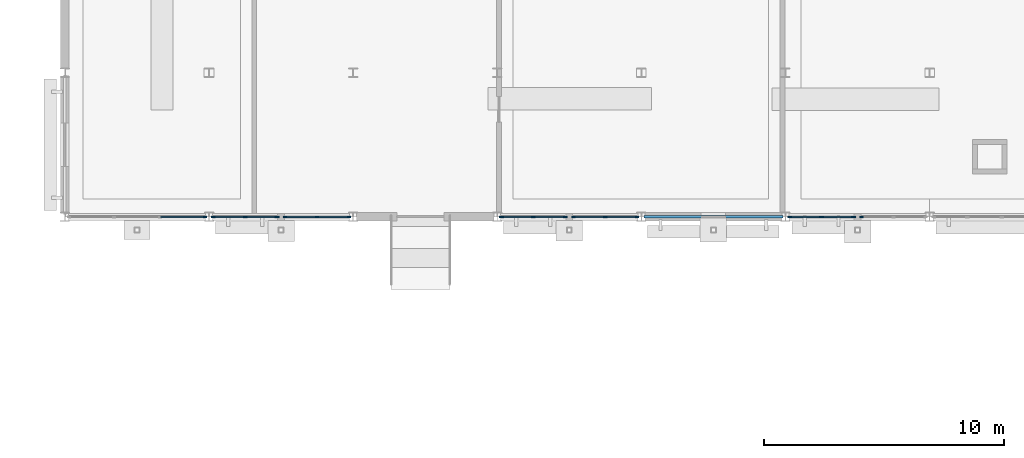
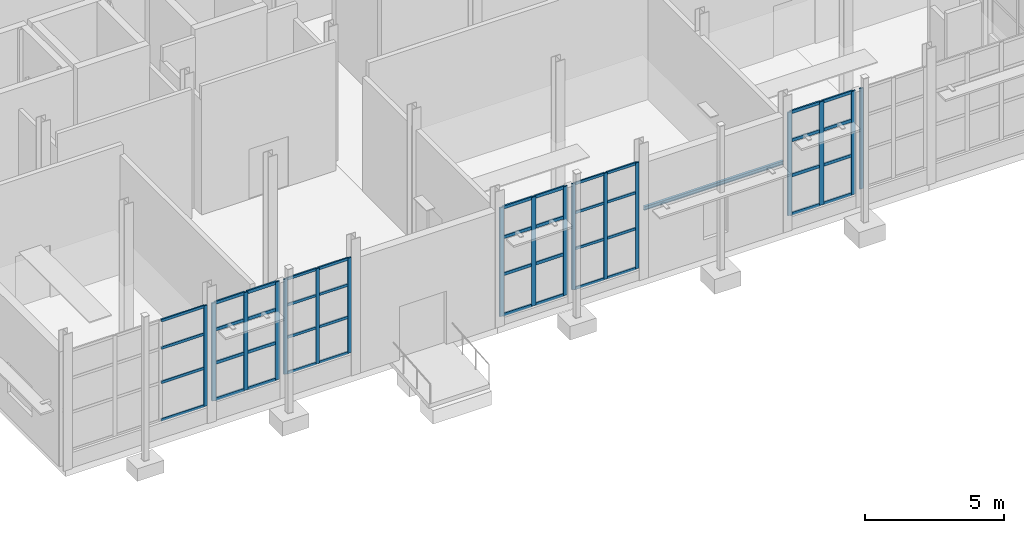
# One storey, part 61 of 120: 61 members, 1 beam, 7 elements without a shape of their own.
"""IFC4 building model written with IfcOpenShell, lengths in metres."""

import ifcopenshell
import ifcopenshell.guid

model = None  # the IFC model being written
_history = None  # IfcOwnerHistory: only IFC2X3 demands one
_inside = {}  # id of a spatial element -> (the spatial element, [elements in it])
_under = {}  # id of a project, library or spatial element -> (it, [spatial elements below it])
_declared = {}  # id of a project -> (the project, [libraries it declares])
_typed = {}  # id of a type object -> (the type object, [elements of that type])
_made_of = {}  # id of a material, layer set ... -> (it, [elements and type objects made of it])


def new_model(schema):
    """Start an empty IFC model of exactly this schema.

    Asked for "IFC4X3", IfcOpenShell would pick the latest addendum, in which some entities
    have other attributes; the version numbers below select the first issue.
    IFC2X3 requires an IfcOwnerHistory on every rooted entity: one is made here for all.
    """
    global model, _history
    if schema == "IFC4X3":
        model = ifcopenshell.file(schema_version=(4, 3, 0, 0))
    else:
        model = ifcopenshell.file(schema=schema)
    _inside.clear()
    _under.clear()
    _declared.clear()
    _typed.clear()
    _made_of.clear()
    _history = None
    if model.schema == "IFC2X3":
        org = make("IfcOrganization", Name="unknown")
        user = make(
            "IfcPersonAndOrganization",
            ThePerson=make("IfcPerson", FamilyName="unknown"),
            TheOrganization=org,
        )
        app = make(
            "IfcApplication",
            ApplicationDeveloper=org,
            Version="unknown",
            ApplicationFullName="unknown",
            ApplicationIdentifier="unknown",
        )
        _history = make(
            "IfcOwnerHistory",
            OwningUser=user,
            OwningApplication=app,
            ChangeAction="ADDED",
            CreationDate=0,
        )
    return model


def make(cls, **values):
    """One entity of the class cls with the attributes given. An attribute that is None is left unset."""
    return model.create_entity(
        cls, **{name: value for name, value in values.items() if value is not None}
    )


def rooted(cls, **values):
    """An entity with a GlobalId (a new one), such as an element, a storey or a relation."""
    return make(cls, GlobalId=ifcopenshell.guid.new(), OwnerHistory=_history, **values)


def si_unit(unit_type, name, prefix=None):
    """IfcSIUnit, for example si_unit("LENGTHUNIT", "METRE", prefix="MILLI")."""
    return make("IfcSIUnit", UnitType=unit_type, Prefix=prefix, Name=name)


def assignment(units):
    """IfcUnitAssignment: the units of a project."""
    return None if units is None else make("IfcUnitAssignment", Units=units)


def point(xyz):
    """IfcCartesianPoint."""
    return None if xyz is None else make("IfcCartesianPoint", Coordinates=xyz)


def direction(xyz):
    """IfcDirection."""
    return None if xyz is None else make("IfcDirection", DirectionRatios=xyz)


def frame(location, z_axis=None, x_axis=None):
    """IfcAxis2Placement3D, a coordinate frame: its origin and axes. An axis left out is left unset."""
    return make(
        "IfcAxis2Placement3D",
        Location=point(location),
        Axis=direction(z_axis),
        RefDirection=direction(x_axis),
    )


def frame_2d(location, x_axis=None):
    """IfcAxis2Placement2D, a coordinate frame in the plane: its origin and x axis."""
    return make(
        "IfcAxis2Placement2D", Location=point(location), RefDirection=direction(x_axis)
    )


def origin():
    """The frame at (0, 0, 0) with its axes left unset."""
    return frame((0.0, 0.0, 0.0))


def origin_2d():
    """The frame at (0, 0) in the plane with its x axis left unset."""
    return frame_2d((0.0, 0.0))


def place(relative_to, where):
    """IfcLocalPlacement: puts the frame where relative to a parent placement (None: the world)."""
    return make(
        "IfcLocalPlacement", PlacementRelTo=relative_to, RelativePlacement=where
    )


def context(
    kind, dimensions, precision=None, world=None, true_north=None, identifier=None
):
    """IfcGeometricRepresentationContext, for example the 3D "Model" context."""
    return make(
        "IfcGeometricRepresentationContext",
        ContextIdentifier=identifier,
        ContextType=kind,
        CoordinateSpaceDimension=dimensions,
        Precision=precision,
        WorldCoordinateSystem=world,
        TrueNorth=true_north,
    )


def subcontext(parent, identifier, kind, view, scale=None):
    """IfcGeometricRepresentationSubContext, for example "Body" below "Model"."""
    return make(
        "IfcGeometricRepresentationSubContext",
        ContextIdentifier=identifier,
        ContextType=kind,
        ParentContext=parent,
        TargetScale=scale,
        TargetView=view,
    )


def project(units=None, contexts=None):
    """IfcProject with its units and contexts."""
    return rooted(
        "IfcProject",
        Name="project",
        RepresentationContexts=contexts,
        UnitsInContext=assignment(units),
    )


def spatial(cls, under=None, at=None, **own):
    """A site, building, storey or space (cls), placed at a placement, below another one or the project."""
    s = rooted(cls, ObjectPlacement=at, **own)
    if under is not None:
        _under.setdefault(under.id(), (under, []))[1].append(s)
    return s


def profile(cls, at=None, kind="AREA", **sizes):
    """A parametric profile (cls). Its sizes go by their IFC names, for example OverallWidth=200.0."""
    return make(cls, ProfileType=kind, Position=at, **sizes)


def rectangle(**sizes):
    """IfcRectangleProfileDef."""
    return profile("IfcRectangleProfileDef", **sizes)


def i_section(**sizes):
    """IfcIShapeProfileDef."""
    return profile("IfcIShapeProfileDef", **sizes)


def extrude(swept, where, along, depth):
    """IfcExtrudedAreaSolid: the profile swept, set in the frame where, extruded along a direction by depth."""
    return make(
        "IfcExtrudedAreaSolid",
        SweptArea=swept,
        Position=where,
        ExtrudedDirection=direction(along),
        Depth=depth,
    )


def shape(context_of_items, identifier, shape_type, items):
    """IfcShapeRepresentation: the items that make up one representation, for example the "Body"."""
    return make(
        "IfcShapeRepresentation",
        ContextOfItems=context_of_items,
        RepresentationIdentifier=identifier,
        RepresentationType=shape_type,
        Items=items,
    )


def material(Name=None, Category=None):
    """IfcMaterial."""
    return make("IfcMaterial", Name=Name, Category=Category)


def material_profile(
    of_material, cross_section, Name=None, Category=None, Priority=None
):
    """IfcMaterialProfile: a cross section and its material."""
    return make(
        "IfcMaterialProfile",
        Name=Name,
        Material=of_material,
        Profile=cross_section,
        Priority=Priority,
        Category=Category,
    )


def profile_set(profiles, Name=None, composite=None):
    """IfcMaterialProfileSet."""
    return make(
        "IfcMaterialProfileSet",
        Name=Name,
        MaterialProfiles=profiles,
        CompositeProfile=composite,
    )


def made_of(thing, what):
    """Note that an element or type object is made of a material, layer set ...; save() writes the relation."""
    if what is not None:
        _made_of.setdefault(what.id(), (what, []))[1].append(thing)
    return thing


def type_object(cls, material=None, **own):
    """A type object (cls), such as IfcWallType, which elements share."""
    return made_of(rooted(cls, **own), material)


def element(
    cls,
    number,
    at=None,
    inside=None,
    cuts=None,
    type_object=None,
    material=None,
    context=None,
    identifier="Body",
    shape_type=None,
    held_by="IfcProductDefinitionShape",
    body=None,
    shapes=None,
    **own,
):
    """One element of the class cls, such as IfcWall. Its Tag is "e" and its number.

    at: its placement. inside: the storey or other place that contains it. cuts: it is an
    opening in that element (IfcRelVoidsElement). A single representation is given by context,
    identifier, shape_type and body (its items); several are given by shapes. held_by: the class
    of the entity that holds the representations. save() writes the other relations.
    """
    e = rooted(cls, Tag="e%d" % number, ObjectPlacement=at, **own)
    if body is not None:
        shapes = [shape(context, identifier, shape_type, body)]
    if shapes is not None:
        e.Representation = make(held_by, Representations=shapes)
    if inside is not None:
        _inside.setdefault(inside.id(), (inside, []))[1].append(e)
    if cuts is not None:
        rooted(
            "IfcRelVoidsElement", RelatingBuildingElement=cuts, RelatedOpeningElement=e
        )
    if type_object is not None:
        _typed.setdefault(type_object.id(), (type_object, []))[1].append(e)
    return made_of(e, material)


def aggregate(whole, parts):
    """IfcRelAggregates: a whole, such as a stair, and the parts it consists of."""
    return rooted("IfcRelAggregates", RelatingObject=whole, RelatedObjects=parts)


def save(model, path):
    """Write the relations noted so far, then the file.

    IfcRelAggregates (storeys below a building ...), IfcRelContainedInSpatialStructure (elements
    in a storey), IfcRelDefinesByType, IfcRelAssociatesMaterial and IfcRelDeclares: one each for
    every whole, place, type object, material and project.
    """
    for whole, parts in _under.values():
        aggregate(whole, parts)
    for where, things in _inside.values():
        rooted(
            "IfcRelContainedInSpatialStructure",
            RelatedElements=things,
            RelatingStructure=where,
        )
    for kind, things in _typed.values():
        rooted("IfcRelDefinesByType", RelatedObjects=things, RelatingType=kind)
    for what, things in _made_of.values():
        rooted("IfcRelAssociatesMaterial", RelatedObjects=things, RelatingMaterial=what)
    for by, libraries in _declared.values():
        rooted("IfcRelDeclares", RelatingContext=by, RelatedDefinitions=libraries)
    model.write(path)


model = new_model("IFC4")

# Units and contexts
model_context = context("Model", 3, precision=1e-05, world=origin(), true_north=direction((0.0, 1.0)))
body_context = subcontext(model_context, "Body", "Model", "MODEL_VIEW")
ifc_project = project(units=[si_unit("LENGTHUNIT", "METRE"), si_unit("AREAUNIT", "SQUARE_METRE"), si_unit("VOLUMEUNIT", "CUBIC_METRE"), si_unit("PLANEANGLEUNIT", "RADIAN"), si_unit("MASSUNIT", "GRAM", prefix="KILO")], contexts=[model_context])

# Site, building, storey
site_placement = place(None, origin())
site = spatial("IfcSite", under=ifc_project, at=site_placement, CompositionType="ELEMENT")
building_placement = place(site_placement, origin())
building = spatial("IfcBuilding", under=site, at=building_placement, Name="Siltcreek Boulevard Central Fire Station", CompositionType="ELEMENT")
storey_placement = place(building_placement, origin())
storey = spatial("IfcBuildingStorey", under=building, at=storey_placement, Name="L01", CompositionType="ELEMENT", Elevation=0.0)

# Curtain wall, member
ifc_material_1 = material(Name="Anodized aluminum and low-E insulated glazing", Category="aluminium")
curtain_wall_type_1 = type_object("IfcCurtainWallType", Name="CW_SYS_10", PredefinedType="USERDEFINED", material=ifc_material_1)
curtain_wall_1_placement = place(storey_placement, origin())
curtain_wall_1 = element("IfcCurtainWall", 1, at=curtain_wall_1_placement, inside=storey, type_object=curtain_wall_type_1, Name="L01 V5 unitised curtain wall CW-099", ObjectType="CURTAIN WALL", PredefinedType="USERDEFINED")
ifc_material_2 = material(Name="Anodized 6063-T6 aluminum framing", Category="aluminium")
ifc_material_profile_1 = material_profile(ifc_material_2, rectangle(XDim=0.06005859375, YDim=0.14990234375, at=origin_2d()), Name="MULL60X150")
ifc_profile_set_1 = profile_set([ifc_material_profile_1], Name="Anodized 6063-T6 aluminum framing")
member_type_1 = type_object("IfcMemberType", Name="CWM_60X150", PredefinedType="MULLION", material=ifc_profile_set_1)
member_1_placement = place(storey_placement, frame((130.02490234375, 88.199951171875, 0.679931640625), z_axis=(0.0, 0.0, 1.0), x_axis=(0.0, 1.0, 0.0)))
member_1 = element("IfcMember", 2, at=member_1_placement, type_object=member_type_1, Name="CW-099 mullion 4", PredefinedType="MULLION", context=body_context, shape_type="SweptSolid", body=[
    extrude(rectangle(XDim=0.06005859375, YDim=0.14990234375, at=origin_2d()), origin(), (0.0, 0.0, 1.0), 4.43310546875),
])

# Curtain wall, members
curtain_wall_type_2 = type_object("IfcCurtainWallType", Name="CW_SYS_12", PredefinedType="USERDEFINED", material=ifc_material_1)
curtain_wall_2_placement = place(storey_placement, origin())
curtain_wall_2 = element("IfcCurtainWall", 3, at=curtain_wall_2_placement, inside=storey, type_object=curtain_wall_type_2, Name="L01 V5 unitised curtain wall CW-101", ObjectType="CURTAIN WALL", PredefinedType="USERDEFINED")
member_2_placement = place(storey_placement, frame((133.3701171875, 88.199951171875, 0.919921875), z_axis=(0.0, 0.0, 1.0), x_axis=(0.0, 1.0, 0.0)))
member_2 = element("IfcMember", 4, at=member_2_placement, type_object=member_type_1, Name="CW-101 mullion 1", PredefinedType="MULLION", context=body_context, shape_type="SweptSolid", body=[
    extrude(rectangle(XDim=0.06005859375, YDim=0.14990234375, at=origin_2d()), origin(), (0.0, 0.0, 1.0), 4.193115234375),
])
member_3_placement = place(storey_placement, frame((134.697509765625, 88.199951171875, 0.919921875), z_axis=(0.0, 0.0, 1.0), x_axis=(0.0, 1.0, 0.0)))
member_3 = element("IfcMember", 5, at=member_3_placement, type_object=member_type_1, Name="CW-101 mullion 2", PredefinedType="MULLION", context=body_context, shape_type="SweptSolid", body=[
    extrude(rectangle(XDim=0.06005859375, YDim=0.14990234375, at=origin_2d()), origin(), (0.0, 0.0, 1.0), 4.193115234375),
])
member_4_placement = place(storey_placement, frame((136.02490234375, 88.199951171875, 0.919921875), z_axis=(0.0, 0.0, 1.0), x_axis=(0.0, 1.0, 0.0)))
member_4 = element("IfcMember", 6, at=member_4_placement, type_object=member_type_1, Name="CW-101 mullion 3", PredefinedType="MULLION", context=body_context, shape_type="SweptSolid", body=[
    extrude(rectangle(XDim=0.06005859375, YDim=0.14990234375, at=origin_2d()), origin(), (0.0, 0.0, 1.0), 4.193115234375),
])

curtain_wall_type_3 = type_object("IfcCurtainWallType", Name="CW_SYS_14", PredefinedType="USERDEFINED", material=ifc_material_1)
curtain_wall_3_placement = place(storey_placement, origin())
curtain_wall_3 = element("IfcCurtainWall", 7, at=curtain_wall_3_placement, inside=storey, type_object=curtain_wall_type_3, Name="L01 V5 unitised curtain wall CW-103", ObjectType="CURTAIN WALL", PredefinedType="USERDEFINED")
member_5_placement = place(storey_placement, frame((145.3701171875, 88.199951171875, 0.43994140625), z_axis=(0.0, 0.0, 1.0), x_axis=(0.0, 1.0, 0.0)))
member_5 = element("IfcMember", 8, at=member_5_placement, type_object=member_type_1, Name="CW-103 mullion 1", PredefinedType="MULLION", context=body_context, shape_type="SweptSolid", body=[
    extrude(rectangle(XDim=0.06005859375, YDim=0.14990234375, at=origin_2d()), origin(), (0.0, 0.0, 1.0), 4.673095703125),
])
member_6_placement = place(storey_placement, frame((146.697509765625, 88.199951171875, 0.43994140625), z_axis=(0.0, 0.0, 1.0), x_axis=(0.0, 1.0, 0.0)))
member_6 = element("IfcMember", 9, at=member_6_placement, type_object=member_type_1, Name="CW-103 mullion 2", PredefinedType="MULLION", context=body_context, shape_type="SweptSolid", body=[
    extrude(rectangle(XDim=0.06005859375, YDim=0.14990234375, at=origin_2d()), origin(), (0.0, 0.0, 1.0), 4.673095703125),
])
member_7_placement = place(storey_placement, frame((148.02490234375, 88.199951171875, 0.43994140625), z_axis=(0.0, 0.0, 1.0), x_axis=(0.0, 1.0, 0.0)))
member_7 = element("IfcMember", 10, at=member_7_placement, type_object=member_type_1, Name="CW-103 mullion 3", PredefinedType="MULLION", context=body_context, shape_type="SweptSolid", body=[
    extrude(rectangle(XDim=0.06005859375, YDim=0.14990234375, at=origin_2d()), origin(), (0.0, 0.0, 1.0), 4.673095703125),
])

# Curtain wall, member
curtain_wall_type_4 = type_object("IfcCurtainWallType", Name="CW_SYS_16", PredefinedType="USERDEFINED", material=ifc_material_1)
curtain_wall_4_placement = place(storey_placement, origin())
curtain_wall_4 = element("IfcCurtainWall", 11, at=curtain_wall_4_placement, inside=storey, type_object=curtain_wall_type_4, Name="L01 V5 unitised curtain wall CW-105", ObjectType="CURTAIN WALL", PredefinedType="USERDEFINED")
member_8_placement = place(storey_placement, frame((157.3701171875, 88.199951171875, 0.679931640625), z_axis=(0.0, 0.0, 1.0), x_axis=(0.0, 1.0, 0.0)))
member_8 = element("IfcMember", 12, at=member_8_placement, type_object=member_type_1, Name="CW-105 mullion 1", PredefinedType="MULLION", context=body_context, shape_type="SweptSolid", body=[
    extrude(rectangle(XDim=0.06005859375, YDim=0.14990234375, at=origin_2d()), origin(), (0.0, 0.0, 1.0), 4.43310546875),
])
aggregate(curtain_wall_4, [member_8])

# Curtain wall, members
curtain_wall_type_5 = type_object("IfcCurtainWallType", Name="CW_SYS_11", PredefinedType="USERDEFINED", material=ifc_material_1)
curtain_wall_5_placement = place(storey_placement, origin())
curtain_wall_5 = element("IfcCurtainWall", 13, at=curtain_wall_5_placement, inside=storey, type_object=curtain_wall_type_5, Name="L01 V5 unitised curtain wall CW-100", ObjectType="CURTAIN WALL", PredefinedType="USERDEFINED")
ifc_material_profile_2 = material_profile(ifc_material_2, rectangle(XDim=0.06494140625, YDim=0.175048828125, at=origin_2d()), Name="MULL65X175")
ifc_profile_set_2 = profile_set([ifc_material_profile_2], Name="Anodized 6063-T6 aluminum framing")
member_type_2 = type_object("IfcMemberType", Name="CWM_65X175", PredefinedType="MULLION", material=ifc_profile_set_2)
member_9_placement = place(storey_placement, frame((130.37744140625, 88.199951171875, 0.800048828125), z_axis=(0.0, 0.0, 1.0), x_axis=(0.0, 1.0, 0.0)))
member_9 = element("IfcMember", 14, at=member_9_placement, type_object=member_type_2, Name="CW-100 mullion 1", PredefinedType="MULLION", context=body_context, shape_type="SweptSolid", body=[
    extrude(rectangle(XDim=0.06494140625, YDim=0.175048828125, at=origin_2d()), origin(), (0.0, 0.0, 1.0), 4.31298828125),
])
member_10_placement = place(storey_placement, frame((131.702392578125, 88.199951171875, 0.800048828125), z_axis=(0.0, 0.0, 1.0), x_axis=(0.0, 1.0, 0.0)))
member_10 = element("IfcMember", 15, at=member_10_placement, type_object=member_type_2, Name="CW-100 mullion 2", PredefinedType="MULLION", context=body_context, shape_type="SweptSolid", body=[
    extrude(rectangle(XDim=0.06494140625, YDim=0.175048828125, at=origin_2d()), origin(), (0.0, 0.0, 1.0), 4.31298828125),
])
member_11_placement = place(storey_placement, frame((133.027587890625, 88.199951171875, 0.800048828125), z_axis=(0.0, 0.0, 1.0), x_axis=(0.0, 1.0, 0.0)))
member_11 = element("IfcMember", 16, at=member_11_placement, type_object=member_type_2, Name="CW-100 mullion 3", PredefinedType="MULLION", context=body_context, shape_type="SweptSolid", body=[
    extrude(rectangle(XDim=0.06494140625, YDim=0.175048828125, at=origin_2d()), origin(), (0.0, 0.0, 1.0), 4.31298828125),
])

curtain_wall_type_6 = type_object("IfcCurtainWallType", Name="CW_SYS_13", PredefinedType="USERDEFINED", material=ifc_material_1)
curtain_wall_6_placement = place(storey_placement, origin())
curtain_wall_6 = element("IfcCurtainWall", 17, at=curtain_wall_6_placement, inside=storey, type_object=curtain_wall_type_6, Name="L01 V5 unitised curtain wall CW-102", ObjectType="CURTAIN WALL", PredefinedType="USERDEFINED")
member_12_placement = place(storey_placement, frame((142.37744140625, 88.199951171875, 0.320068359375), z_axis=(0.0, 0.0, 1.0), x_axis=(0.0, 1.0, 0.0)))
member_12 = element("IfcMember", 18, at=member_12_placement, type_object=member_type_2, Name="CW-102 mullion 1", PredefinedType="MULLION", context=body_context, shape_type="SweptSolid", body=[
    extrude(rectangle(XDim=0.06494140625, YDim=0.175048828125, at=origin_2d()), origin(), (0.0, 0.0, 1.0), 4.79296875),
])
member_13_placement = place(storey_placement, frame((143.702392578125, 88.199951171875, 0.320068359375), z_axis=(0.0, 0.0, 1.0), x_axis=(0.0, 1.0, 0.0)))
member_13 = element("IfcMember", 19, at=member_13_placement, type_object=member_type_2, Name="CW-102 mullion 2", PredefinedType="MULLION", context=body_context, shape_type="SweptSolid", body=[
    extrude(rectangle(XDim=0.06494140625, YDim=0.175048828125, at=origin_2d()), origin(), (0.0, 0.0, 1.0), 4.79296875),
])
member_14_placement = place(storey_placement, frame((145.027587890625, 88.199951171875, 0.320068359375), z_axis=(0.0, 0.0, 1.0), x_axis=(0.0, 1.0, 0.0)))
member_14 = element("IfcMember", 20, at=member_14_placement, type_object=member_type_2, Name="CW-102 mullion 3", PredefinedType="MULLION", context=body_context, shape_type="SweptSolid", body=[
    extrude(rectangle(XDim=0.06494140625, YDim=0.175048828125, at=origin_2d()), origin(), (0.0, 0.0, 1.0), 4.79296875),
])

curtain_wall_type_7 = type_object("IfcCurtainWallType", Name="CW_SYS_15", PredefinedType="USERDEFINED", material=ifc_material_1)
curtain_wall_7_placement = place(storey_placement, origin())
curtain_wall_7 = element("IfcCurtainWall", 21, at=curtain_wall_7_placement, inside=storey, type_object=curtain_wall_type_7, Name="L01 V5 unitised curtain wall CW-104", ObjectType="CURTAIN WALL", PredefinedType="USERDEFINED")
member_15_placement = place(storey_placement, frame((154.37744140625, 88.199951171875, 0.56005859375), z_axis=(0.0, 0.0, 1.0), x_axis=(0.0, 1.0, 0.0)))
member_15 = element("IfcMember", 22, at=member_15_placement, type_object=member_type_2, Name="CW-104 mullion 1", PredefinedType="MULLION", context=body_context, shape_type="SweptSolid", body=[
    extrude(rectangle(XDim=0.06494140625, YDim=0.175048828125, at=origin_2d()), origin(), (0.0, 0.0, 1.0), 4.552978515625),
])
member_16_placement = place(storey_placement, frame((155.702392578125, 88.199951171875, 0.56005859375), z_axis=(0.0, 0.0, 1.0), x_axis=(0.0, 1.0, 0.0)))
member_16 = element("IfcMember", 23, at=member_16_placement, type_object=member_type_2, Name="CW-104 mullion 2", PredefinedType="MULLION", context=body_context, shape_type="SweptSolid", body=[
    extrude(rectangle(XDim=0.06494140625, YDim=0.175048828125, at=origin_2d()), origin(), (0.0, 0.0, 1.0), 4.552978515625),
])
member_17_placement = place(storey_placement, frame((157.027587890625, 88.199951171875, 0.56005859375), z_axis=(0.0, 0.0, 1.0), x_axis=(0.0, 1.0, 0.0)))
member_17 = element("IfcMember", 24, at=member_17_placement, type_object=member_type_2, Name="CW-104 mullion 3", PredefinedType="MULLION", context=body_context, shape_type="SweptSolid", body=[
    extrude(rectangle(XDim=0.06494140625, YDim=0.175048828125, at=origin_2d()), origin(), (0.0, 0.0, 1.0), 4.552978515625),
])

# Member
ifc_material_profile_3 = material_profile(ifc_material_2, rectangle(XDim=0.06005859375, YDim=0.114990234375, at=origin_2d()), Name="TRAN60X115")
ifc_profile_set_3 = profile_set([ifc_material_profile_3], Name="Anodized 6063-T6 aluminum framing")
member_type_3 = type_object("IfcMemberType", Name="CWT_60X115", PredefinedType="USERDEFINED", material=ifc_profile_set_3)
member_18_placement = place(storey_placement, frame((128.181640625, 88.199951171875, 0.7099609375), z_axis=(1.0, 0.0, 0.0), x_axis=(0.0, 1.0, 0.0)))
member_18 = element("IfcMember", 25, at=member_18_placement, type_object=member_type_3, Name="CW-099 transom 3.1", ObjectType="TRANSOM", PredefinedType="USERDEFINED", context=body_context, shape_type="SweptSolid", body=[
    extrude(rectangle(XDim=0.06005859375, YDim=0.114990234375, at=origin_2d()), origin(), (0.0, 0.0, 1.0), 1.8134765625),
])

member_19_placement = place(storey_placement, frame((128.181640625, 88.199951171875, 2.364501953125), z_axis=(1.0, 0.0, 0.0), x_axis=(0.0, 1.0, 0.0)))
member_19 = element("IfcMember", 26, at=member_19_placement, type_object=member_type_3, Name="CW-099 transom 3.2", ObjectType="TRANSOM", PredefinedType="USERDEFINED", context=body_context, shape_type="SweptSolid", body=[
    extrude(rectangle(XDim=0.06005859375, YDim=0.114990234375, at=origin_2d()), origin(), (0.0, 0.0, 1.0), 1.8134765625),
])

member_20_placement = place(storey_placement, frame((128.181640625, 88.199951171875, 3.871826171875), z_axis=(1.0, 0.0, 0.0), x_axis=(0.0, 1.0, 0.0)))
member_20 = element("IfcMember", 27, at=member_20_placement, type_object=member_type_3, Name="CW-099 transom 3.3", ObjectType="TRANSOM", PredefinedType="USERDEFINED", context=body_context, shape_type="SweptSolid", body=[
    extrude(rectangle(XDim=0.06005859375, YDim=0.114990234375, at=origin_2d()), origin(), (0.0, 0.0, 1.0), 1.8134765625),
])

member_21_placement = place(storey_placement, frame((128.181640625, 88.199951171875, 5.0830078125), z_axis=(1.0, 0.0, 0.0), x_axis=(0.0, 1.0, 0.0)))
member_21 = element("IfcMember", 28, at=member_21_placement, type_object=member_type_3, Name="CW-099 transom 3.4", ObjectType="TRANSOM", PredefinedType="USERDEFINED", context=body_context, shape_type="SweptSolid", body=[
    extrude(rectangle(XDim=0.06005859375, YDim=0.114990234375, at=origin_2d()), origin(), (0.0, 0.0, 1.0), 1.8134765625),
])

aggregate(curtain_wall_1, [member_1, member_18, member_19, member_20, member_21])

member_22_placement = place(storey_placement, frame((133.39990234375, 88.199951171875, 0.949951171875), z_axis=(1.0, 0.0, 0.0), x_axis=(0.0, 1.0, 0.0)))
member_22 = element("IfcMember", 29, at=member_22_placement, type_object=member_type_3, Name="CW-101 transom 1.1", ObjectType="TRANSOM", PredefinedType="USERDEFINED", context=body_context, shape_type="SweptSolid", body=[
    extrude(rectangle(XDim=0.06005859375, YDim=0.114990234375, at=origin_2d()), origin(), (0.0, 0.0, 1.0), 1.267578125),
])

member_23_placement = place(storey_placement, frame((133.39990234375, 88.199951171875, 2.51318359375), z_axis=(1.0, 0.0, 0.0), x_axis=(0.0, 1.0, 0.0)))
member_23 = element("IfcMember", 30, at=member_23_placement, type_object=member_type_3, Name="CW-101 transom 1.2", ObjectType="TRANSOM", PredefinedType="USERDEFINED", context=body_context, shape_type="SweptSolid", body=[
    extrude(rectangle(XDim=0.06005859375, YDim=0.114990234375, at=origin_2d()), origin(), (0.0, 0.0, 1.0), 1.267578125),
])

member_24_placement = place(storey_placement, frame((133.39990234375, 88.199951171875, 3.93896484375), z_axis=(1.0, 0.0, 0.0), x_axis=(0.0, 1.0, 0.0)))
member_24 = element("IfcMember", 31, at=member_24_placement, type_object=member_type_3, Name="CW-101 transom 1.3", ObjectType="TRANSOM", PredefinedType="USERDEFINED", context=body_context, shape_type="SweptSolid", body=[
    extrude(rectangle(XDim=0.06005859375, YDim=0.114990234375, at=origin_2d()), origin(), (0.0, 0.0, 1.0), 1.267578125),
])

member_25_placement = place(storey_placement, frame((133.39990234375, 88.199951171875, 5.0830078125), z_axis=(1.0, 0.0, 0.0), x_axis=(0.0, 1.0, 0.0)))
member_25 = element("IfcMember", 32, at=member_25_placement, type_object=member_type_3, Name="CW-101 transom 1.4", ObjectType="TRANSOM", PredefinedType="USERDEFINED", context=body_context, shape_type="SweptSolid", body=[
    extrude(rectangle(XDim=0.06005859375, YDim=0.114990234375, at=origin_2d()), origin(), (0.0, 0.0, 1.0), 1.267578125),
])

member_26_placement = place(storey_placement, frame((134.7275390625, 88.199951171875, 0.949951171875), z_axis=(1.0, 0.0, 0.0), x_axis=(0.0, 1.0, 0.0)))
member_26 = element("IfcMember", 33, at=member_26_placement, type_object=member_type_3, Name="CW-101 transom 2.1", ObjectType="TRANSOM", PredefinedType="USERDEFINED", context=body_context, shape_type="SweptSolid", body=[
    extrude(rectangle(XDim=0.06005859375, YDim=0.114990234375, at=origin_2d()), origin(), (0.0, 0.0, 1.0), 1.267578125),
])

member_27_placement = place(storey_placement, frame((134.7275390625, 88.199951171875, 2.51318359375), z_axis=(1.0, 0.0, 0.0), x_axis=(0.0, 1.0, 0.0)))
member_27 = element("IfcMember", 34, at=member_27_placement, type_object=member_type_3, Name="CW-101 transom 2.2", ObjectType="TRANSOM", PredefinedType="USERDEFINED", context=body_context, shape_type="SweptSolid", body=[
    extrude(rectangle(XDim=0.06005859375, YDim=0.114990234375, at=origin_2d()), origin(), (0.0, 0.0, 1.0), 1.267578125),
])

member_28_placement = place(storey_placement, frame((134.7275390625, 88.199951171875, 3.93896484375), z_axis=(1.0, 0.0, 0.0), x_axis=(0.0, 1.0, 0.0)))
member_28 = element("IfcMember", 35, at=member_28_placement, type_object=member_type_3, Name="CW-101 transom 2.3", ObjectType="TRANSOM", PredefinedType="USERDEFINED", context=body_context, shape_type="SweptSolid", body=[
    extrude(rectangle(XDim=0.06005859375, YDim=0.114990234375, at=origin_2d()), origin(), (0.0, 0.0, 1.0), 1.267578125),
])

member_29_placement = place(storey_placement, frame((134.7275390625, 88.199951171875, 5.0830078125), z_axis=(1.0, 0.0, 0.0), x_axis=(0.0, 1.0, 0.0)))
member_29 = element("IfcMember", 36, at=member_29_placement, type_object=member_type_3, Name="CW-101 transom 2.4", ObjectType="TRANSOM", PredefinedType="USERDEFINED", context=body_context, shape_type="SweptSolid", body=[
    extrude(rectangle(XDim=0.06005859375, YDim=0.114990234375, at=origin_2d()), origin(), (0.0, 0.0, 1.0), 1.267578125),
])

aggregate(curtain_wall_2, [member_2, member_3, member_4, member_22, member_23, member_24, member_25, member_26, member_27, member_28, member_29])

member_30_placement = place(storey_placement, frame((145.39990234375, 88.199951171875, 0.469970703125), z_axis=(1.0, 0.0, 0.0), x_axis=(0.0, 1.0, 0.0)))
member_30 = element("IfcMember", 37, at=member_30_placement, type_object=member_type_3, Name="CW-103 transom 1.1", ObjectType="TRANSOM", PredefinedType="USERDEFINED", context=body_context, shape_type="SweptSolid", body=[
    extrude(rectangle(XDim=0.06005859375, YDim=0.114990234375, at=origin_2d()), origin(), (0.0, 0.0, 1.0), 1.267578125),
])

member_31_placement = place(storey_placement, frame((145.39990234375, 88.199951171875, 2.2158203125), z_axis=(1.0, 0.0, 0.0), x_axis=(0.0, 1.0, 0.0)))
member_31 = element("IfcMember", 38, at=member_31_placement, type_object=member_type_3, Name="CW-103 transom 1.2", ObjectType="TRANSOM", PredefinedType="USERDEFINED", context=body_context, shape_type="SweptSolid", body=[
    extrude(rectangle(XDim=0.06005859375, YDim=0.114990234375, at=origin_2d()), origin(), (0.0, 0.0, 1.0), 1.267578125),
])

member_32_placement = place(storey_placement, frame((145.39990234375, 88.199951171875, 3.8046875), z_axis=(1.0, 0.0, 0.0), x_axis=(0.0, 1.0, 0.0)))
member_32 = element("IfcMember", 39, at=member_32_placement, type_object=member_type_3, Name="CW-103 transom 1.3", ObjectType="TRANSOM", PredefinedType="USERDEFINED", context=body_context, shape_type="SweptSolid", body=[
    extrude(rectangle(XDim=0.06005859375, YDim=0.114990234375, at=origin_2d()), origin(), (0.0, 0.0, 1.0), 1.267578125),
])

member_33_placement = place(storey_placement, frame((145.39990234375, 88.199951171875, 5.0830078125), z_axis=(1.0, 0.0, 0.0), x_axis=(0.0, 1.0, 0.0)))
member_33 = element("IfcMember", 40, at=member_33_placement, type_object=member_type_3, Name="CW-103 transom 1.4", ObjectType="TRANSOM", PredefinedType="USERDEFINED", context=body_context, shape_type="SweptSolid", body=[
    extrude(rectangle(XDim=0.06005859375, YDim=0.114990234375, at=origin_2d()), origin(), (0.0, 0.0, 1.0), 1.267578125),
])

member_34_placement = place(storey_placement, frame((146.7275390625, 88.199951171875, 0.469970703125), z_axis=(1.0, 0.0, 0.0), x_axis=(0.0, 1.0, 0.0)))
member_34 = element("IfcMember", 41, at=member_34_placement, type_object=member_type_3, Name="CW-103 transom 2.1", ObjectType="TRANSOM", PredefinedType="USERDEFINED", context=body_context, shape_type="SweptSolid", body=[
    extrude(rectangle(XDim=0.06005859375, YDim=0.114990234375, at=origin_2d()), origin(), (0.0, 0.0, 1.0), 1.267578125),
])

member_35_placement = place(storey_placement, frame((146.7275390625, 88.199951171875, 2.2158203125), z_axis=(1.0, 0.0, 0.0), x_axis=(0.0, 1.0, 0.0)))
member_35 = element("IfcMember", 42, at=member_35_placement, type_object=member_type_3, Name="CW-103 transom 2.2", ObjectType="TRANSOM", PredefinedType="USERDEFINED", context=body_context, shape_type="SweptSolid", body=[
    extrude(rectangle(XDim=0.06005859375, YDim=0.114990234375, at=origin_2d()), origin(), (0.0, 0.0, 1.0), 1.267578125),
])

member_36_placement = place(storey_placement, frame((146.7275390625, 88.199951171875, 3.8046875), z_axis=(1.0, 0.0, 0.0), x_axis=(0.0, 1.0, 0.0)))
member_36 = element("IfcMember", 43, at=member_36_placement, type_object=member_type_3, Name="CW-103 transom 2.3", ObjectType="TRANSOM", PredefinedType="USERDEFINED", context=body_context, shape_type="SweptSolid", body=[
    extrude(rectangle(XDim=0.06005859375, YDim=0.114990234375, at=origin_2d()), origin(), (0.0, 0.0, 1.0), 1.267578125),
])

member_37_placement = place(storey_placement, frame((146.7275390625, 88.199951171875, 5.0830078125), z_axis=(1.0, 0.0, 0.0), x_axis=(0.0, 1.0, 0.0)))
member_37 = element("IfcMember", 44, at=member_37_placement, type_object=member_type_3, Name="CW-103 transom 2.4", ObjectType="TRANSOM", PredefinedType="USERDEFINED", context=body_context, shape_type="SweptSolid", body=[
    extrude(rectangle(XDim=0.06005859375, YDim=0.114990234375, at=origin_2d()), origin(), (0.0, 0.0, 1.0), 1.267578125),
])

aggregate(curtain_wall_3, [member_5, member_6, member_7, member_30, member_31, member_32, member_33, member_34, member_35, member_36, member_37])

ifc_material_profile_4 = material_profile(ifc_material_2, rectangle(XDim=0.06494140625, YDim=0.135009765625, at=origin_2d()), Name="TRAN65X135")
ifc_profile_set_4 = profile_set([ifc_material_profile_4], Name="Anodized 6063-T6 aluminum framing")
member_type_4 = type_object("IfcMemberType", Name="CWT_65X135", PredefinedType="USERDEFINED", material=ifc_profile_set_4)
member_38_placement = place(storey_placement, frame((130.409912109375, 88.199951171875, 0.83251953125), z_axis=(1.0, 0.0, 0.0), x_axis=(0.0, 1.0, 0.0)))
member_38 = element("IfcMember", 45, at=member_38_placement, type_object=member_type_4, Name="CW-100 transom 1.1", ObjectType="TRANSOM", PredefinedType="USERDEFINED", context=body_context, shape_type="SweptSolid", body=[
    extrude(rectangle(XDim=0.06494140625, YDim=0.135009765625, at=origin_2d()), origin(), (0.0, 0.0, 1.0), 1.260009765625),
])

member_39_placement = place(storey_placement, frame((130.409912109375, 88.199951171875, 2.43896484375), z_axis=(1.0, 0.0, 0.0), x_axis=(0.0, 1.0, 0.0)))
member_39 = element("IfcMember", 46, at=member_39_placement, type_object=member_type_4, Name="CW-100 transom 1.2", ObjectType="TRANSOM", PredefinedType="USERDEFINED", context=body_context, shape_type="SweptSolid", body=[
    extrude(rectangle(XDim=0.06494140625, YDim=0.135009765625, at=origin_2d()), origin(), (0.0, 0.0, 1.0), 1.260009765625),
])

member_40_placement = place(storey_placement, frame((130.409912109375, 88.199951171875, 3.905517578125), z_axis=(1.0, 0.0, 0.0), x_axis=(0.0, 1.0, 0.0)))
member_40 = element("IfcMember", 47, at=member_40_placement, type_object=member_type_4, Name="CW-100 transom 1.3", ObjectType="TRANSOM", PredefinedType="USERDEFINED", context=body_context, shape_type="SweptSolid", body=[
    extrude(rectangle(XDim=0.06494140625, YDim=0.135009765625, at=origin_2d()), origin(), (0.0, 0.0, 1.0), 1.260009765625),
])

member_41_placement = place(storey_placement, frame((130.409912109375, 88.199951171875, 5.08056640625), z_axis=(1.0, 0.0, 0.0), x_axis=(0.0, 1.0, 0.0)))
member_41 = element("IfcMember", 48, at=member_41_placement, type_object=member_type_4, Name="CW-100 transom 1.4", ObjectType="TRANSOM", PredefinedType="USERDEFINED", context=body_context, shape_type="SweptSolid", body=[
    extrude(rectangle(XDim=0.06494140625, YDim=0.135009765625, at=origin_2d()), origin(), (0.0, 0.0, 1.0), 1.260009765625),
])

member_42_placement = place(storey_placement, frame((131.735107421875, 88.199951171875, 0.83251953125), z_axis=(1.0, 0.0, 0.0), x_axis=(0.0, 1.0, 0.0)))
member_42 = element("IfcMember", 49, at=member_42_placement, type_object=member_type_4, Name="CW-100 transom 2.1", ObjectType="TRANSOM", PredefinedType="USERDEFINED", context=body_context, shape_type="SweptSolid", body=[
    extrude(rectangle(XDim=0.06494140625, YDim=0.135009765625, at=origin_2d()), origin(), (0.0, 0.0, 1.0), 1.260009765625),
])

member_43_placement = place(storey_placement, frame((131.735107421875, 88.199951171875, 2.43896484375), z_axis=(1.0, 0.0, 0.0), x_axis=(0.0, 1.0, 0.0)))
member_43 = element("IfcMember", 50, at=member_43_placement, type_object=member_type_4, Name="CW-100 transom 2.2", ObjectType="TRANSOM", PredefinedType="USERDEFINED", context=body_context, shape_type="SweptSolid", body=[
    extrude(rectangle(XDim=0.06494140625, YDim=0.135009765625, at=origin_2d()), origin(), (0.0, 0.0, 1.0), 1.260009765625),
])

member_44_placement = place(storey_placement, frame((131.735107421875, 88.199951171875, 3.905517578125), z_axis=(1.0, 0.0, 0.0), x_axis=(0.0, 1.0, 0.0)))
member_44 = element("IfcMember", 51, at=member_44_placement, type_object=member_type_4, Name="CW-100 transom 2.3", ObjectType="TRANSOM", PredefinedType="USERDEFINED", context=body_context, shape_type="SweptSolid", body=[
    extrude(rectangle(XDim=0.06494140625, YDim=0.135009765625, at=origin_2d()), origin(), (0.0, 0.0, 1.0), 1.260009765625),
])

member_45_placement = place(storey_placement, frame((131.735107421875, 88.199951171875, 5.08056640625), z_axis=(1.0, 0.0, 0.0), x_axis=(0.0, 1.0, 0.0)))
member_45 = element("IfcMember", 52, at=member_45_placement, type_object=member_type_4, Name="CW-100 transom 2.4", ObjectType="TRANSOM", PredefinedType="USERDEFINED", context=body_context, shape_type="SweptSolid", body=[
    extrude(rectangle(XDim=0.06494140625, YDim=0.135009765625, at=origin_2d()), origin(), (0.0, 0.0, 1.0), 1.260009765625),
])

aggregate(curtain_wall_5, [member_9, member_10, member_11, member_38, member_39, member_40, member_41, member_42, member_43, member_44, member_45])

member_46_placement = place(storey_placement, frame((142.409912109375, 88.199951171875, 0.3525390625), z_axis=(1.0, 0.0, 0.0), x_axis=(0.0, 1.0, 0.0)))
member_46 = element("IfcMember", 53, at=member_46_placement, type_object=member_type_4, Name="CW-102 transom 1.1", ObjectType="TRANSOM", PredefinedType="USERDEFINED", context=body_context, shape_type="SweptSolid", body=[
    extrude(rectangle(XDim=0.06494140625, YDim=0.135009765625, at=origin_2d()), origin(), (0.0, 0.0, 1.0), 1.260009765625),
])

member_47_placement = place(storey_placement, frame((142.409912109375, 88.199951171875, 2.141357421875), z_axis=(1.0, 0.0, 0.0), x_axis=(0.0, 1.0, 0.0)))
member_47 = element("IfcMember", 54, at=member_47_placement, type_object=member_type_4, Name="CW-102 transom 1.2", ObjectType="TRANSOM", PredefinedType="USERDEFINED", context=body_context, shape_type="SweptSolid", body=[
    extrude(rectangle(XDim=0.06494140625, YDim=0.135009765625, at=origin_2d()), origin(), (0.0, 0.0, 1.0), 1.260009765625),
])

member_48_placement = place(storey_placement, frame((142.409912109375, 88.199951171875, 3.77099609375), z_axis=(1.0, 0.0, 0.0), x_axis=(0.0, 1.0, 0.0)))
member_48 = element("IfcMember", 55, at=member_48_placement, type_object=member_type_4, Name="CW-102 transom 1.3", ObjectType="TRANSOM", PredefinedType="USERDEFINED", context=body_context, shape_type="SweptSolid", body=[
    extrude(rectangle(XDim=0.06494140625, YDim=0.135009765625, at=origin_2d()), origin(), (0.0, 0.0, 1.0), 1.260009765625),
])

member_49_placement = place(storey_placement, frame((142.409912109375, 88.199951171875, 5.08056640625), z_axis=(1.0, 0.0, 0.0), x_axis=(0.0, 1.0, 0.0)))
member_49 = element("IfcMember", 56, at=member_49_placement, type_object=member_type_4, Name="CW-102 transom 1.4", ObjectType="TRANSOM", PredefinedType="USERDEFINED", context=body_context, shape_type="SweptSolid", body=[
    extrude(rectangle(XDim=0.06494140625, YDim=0.135009765625, at=origin_2d()), origin(), (0.0, 0.0, 1.0), 1.260009765625),
])

member_50_placement = place(storey_placement, frame((143.735107421875, 88.199951171875, 0.3525390625), z_axis=(1.0, 0.0, 0.0), x_axis=(0.0, 1.0, 0.0)))
member_50 = element("IfcMember", 57, at=member_50_placement, type_object=member_type_4, Name="CW-102 transom 2.1", ObjectType="TRANSOM", PredefinedType="USERDEFINED", context=body_context, shape_type="SweptSolid", body=[
    extrude(rectangle(XDim=0.06494140625, YDim=0.135009765625, at=origin_2d()), origin(), (0.0, 0.0, 1.0), 1.260009765625),
])

member_51_placement = place(storey_placement, frame((143.735107421875, 88.199951171875, 2.141357421875), z_axis=(1.0, 0.0, 0.0), x_axis=(0.0, 1.0, 0.0)))
member_51 = element("IfcMember", 58, at=member_51_placement, type_object=member_type_4, Name="CW-102 transom 2.2", ObjectType="TRANSOM", PredefinedType="USERDEFINED", context=body_context, shape_type="SweptSolid", body=[
    extrude(rectangle(XDim=0.06494140625, YDim=0.135009765625, at=origin_2d()), origin(), (0.0, 0.0, 1.0), 1.260009765625),
])

member_52_placement = place(storey_placement, frame((143.735107421875, 88.199951171875, 3.77099609375), z_axis=(1.0, 0.0, 0.0), x_axis=(0.0, 1.0, 0.0)))
member_52 = element("IfcMember", 59, at=member_52_placement, type_object=member_type_4, Name="CW-102 transom 2.3", ObjectType="TRANSOM", PredefinedType="USERDEFINED", context=body_context, shape_type="SweptSolid", body=[
    extrude(rectangle(XDim=0.06494140625, YDim=0.135009765625, at=origin_2d()), origin(), (0.0, 0.0, 1.0), 1.260009765625),
])

member_53_placement = place(storey_placement, frame((143.735107421875, 88.199951171875, 5.08056640625), z_axis=(1.0, 0.0, 0.0), x_axis=(0.0, 1.0, 0.0)))
member_53 = element("IfcMember", 60, at=member_53_placement, type_object=member_type_4, Name="CW-102 transom 2.4", ObjectType="TRANSOM", PredefinedType="USERDEFINED", context=body_context, shape_type="SweptSolid", body=[
    extrude(rectangle(XDim=0.06494140625, YDim=0.135009765625, at=origin_2d()), origin(), (0.0, 0.0, 1.0), 1.260009765625),
])

aggregate(curtain_wall_6, [member_12, member_13, member_14, member_46, member_47, member_48, member_49, member_50, member_51, member_52, member_53])

member_54_placement = place(storey_placement, frame((154.409912109375, 88.199951171875, 0.592529296875), z_axis=(1.0, 0.0, 0.0), x_axis=(0.0, 1.0, 0.0)))
member_54 = element("IfcMember", 61, at=member_54_placement, type_object=member_type_4, Name="CW-104 transom 1.1", ObjectType="TRANSOM", PredefinedType="USERDEFINED", context=body_context, shape_type="SweptSolid", body=[
    extrude(rectangle(XDim=0.06494140625, YDim=0.135009765625, at=origin_2d()), origin(), (0.0, 0.0, 1.0), 1.260009765625),
])

member_55_placement = place(storey_placement, frame((154.409912109375, 88.199951171875, 2.2900390625), z_axis=(1.0, 0.0, 0.0), x_axis=(0.0, 1.0, 0.0)))
member_55 = element("IfcMember", 62, at=member_55_placement, type_object=member_type_4, Name="CW-104 transom 1.2", ObjectType="TRANSOM", PredefinedType="USERDEFINED", context=body_context, shape_type="SweptSolid", body=[
    extrude(rectangle(XDim=0.06494140625, YDim=0.135009765625, at=origin_2d()), origin(), (0.0, 0.0, 1.0), 1.260009765625),
])

member_56_placement = place(storey_placement, frame((154.409912109375, 88.199951171875, 3.838134765625), z_axis=(1.0, 0.0, 0.0), x_axis=(0.0, 1.0, 0.0)))
member_56 = element("IfcMember", 63, at=member_56_placement, type_object=member_type_4, Name="CW-104 transom 1.3", ObjectType="TRANSOM", PredefinedType="USERDEFINED", context=body_context, shape_type="SweptSolid", body=[
    extrude(rectangle(XDim=0.06494140625, YDim=0.135009765625, at=origin_2d()), origin(), (0.0, 0.0, 1.0), 1.260009765625),
])

member_57_placement = place(storey_placement, frame((154.409912109375, 88.199951171875, 5.08056640625), z_axis=(1.0, 0.0, 0.0), x_axis=(0.0, 1.0, 0.0)))
member_57 = element("IfcMember", 64, at=member_57_placement, type_object=member_type_4, Name="CW-104 transom 1.4", ObjectType="TRANSOM", PredefinedType="USERDEFINED", context=body_context, shape_type="SweptSolid", body=[
    extrude(rectangle(XDim=0.06494140625, YDim=0.135009765625, at=origin_2d()), origin(), (0.0, 0.0, 1.0), 1.260009765625),
])

member_58_placement = place(storey_placement, frame((155.735107421875, 88.199951171875, 0.592529296875), z_axis=(1.0, 0.0, 0.0), x_axis=(0.0, 1.0, 0.0)))
member_58 = element("IfcMember", 65, at=member_58_placement, type_object=member_type_4, Name="CW-104 transom 2.1", ObjectType="TRANSOM", PredefinedType="USERDEFINED", context=body_context, shape_type="SweptSolid", body=[
    extrude(rectangle(XDim=0.06494140625, YDim=0.135009765625, at=origin_2d()), origin(), (0.0, 0.0, 1.0), 1.260009765625),
])

member_59_placement = place(storey_placement, frame((155.735107421875, 88.199951171875, 2.2900390625), z_axis=(1.0, 0.0, 0.0), x_axis=(0.0, 1.0, 0.0)))
member_59 = element("IfcMember", 66, at=member_59_placement, type_object=member_type_4, Name="CW-104 transom 2.2", ObjectType="TRANSOM", PredefinedType="USERDEFINED", context=body_context, shape_type="SweptSolid", body=[
    extrude(rectangle(XDim=0.06494140625, YDim=0.135009765625, at=origin_2d()), origin(), (0.0, 0.0, 1.0), 1.260009765625),
])

member_60_placement = place(storey_placement, frame((155.735107421875, 88.199951171875, 3.838134765625), z_axis=(1.0, 0.0, 0.0), x_axis=(0.0, 1.0, 0.0)))
member_60 = element("IfcMember", 67, at=member_60_placement, type_object=member_type_4, Name="CW-104 transom 2.3", ObjectType="TRANSOM", PredefinedType="USERDEFINED", context=body_context, shape_type="SweptSolid", body=[
    extrude(rectangle(XDim=0.06494140625, YDim=0.135009765625, at=origin_2d()), origin(), (0.0, 0.0, 1.0), 1.260009765625),
])

member_61_placement = place(storey_placement, frame((155.735107421875, 88.199951171875, 5.08056640625), z_axis=(1.0, 0.0, 0.0), x_axis=(0.0, 1.0, 0.0)))
member_61 = element("IfcMember", 68, at=member_61_placement, type_object=member_type_4, Name="CW-104 transom 2.4", ObjectType="TRANSOM", PredefinedType="USERDEFINED", context=body_context, shape_type="SweptSolid", body=[
    extrude(rectangle(XDim=0.06494140625, YDim=0.135009765625, at=origin_2d()), origin(), (0.0, 0.0, 1.0), 1.260009765625),
])

aggregate(curtain_wall_7, [member_15, member_16, member_17, member_54, member_55, member_56, member_57, member_58, member_59, member_60, member_61])

# Beam
ifc_material_3 = material(Name="Structural steel ASTM A992 Gr50", Category="steel")
ifc_material_profile_5 = material_profile(ifc_material_3, i_section(OverallWidth=0.10205078125, OverallDepth=0.159912109375, WebThickness=0.006591796875, FlangeThickness=0.01025390625, at=origin_2d()), Name="W150X24")
ifc_profile_set_5 = profile_set([ifc_material_profile_5], Name="Structural steel ASTM A992 Gr50")
beam_type = type_object("IfcBeamType", Name="LIN_W150X24", PredefinedType="LINTEL", material=ifc_profile_set_5)
beam_placement = place(storey_placement, frame((148.300048828125, 88.199951171875, 2.989990234375), z_axis=(1.0, 0.0, 0.0), x_axis=(0.0, 1.0, 0.0)))
element("IfcBeam", 69, at=beam_placement, inside=storey, type_object=beam_type, Name="Exterior window steel lintel WLN-42", PredefinedType="LINTEL", context=body_context, shape_type="SweptSolid", body=[
    extrude(i_section(OverallWidth=0.10205078125, OverallDepth=0.159912109375, WebThickness=0.006591796875, FlangeThickness=0.01025390625, at=origin_2d()), origin(), (0.0, 0.0, 1.0), 5.800048828125),
])

save(model, "model.ifc")
